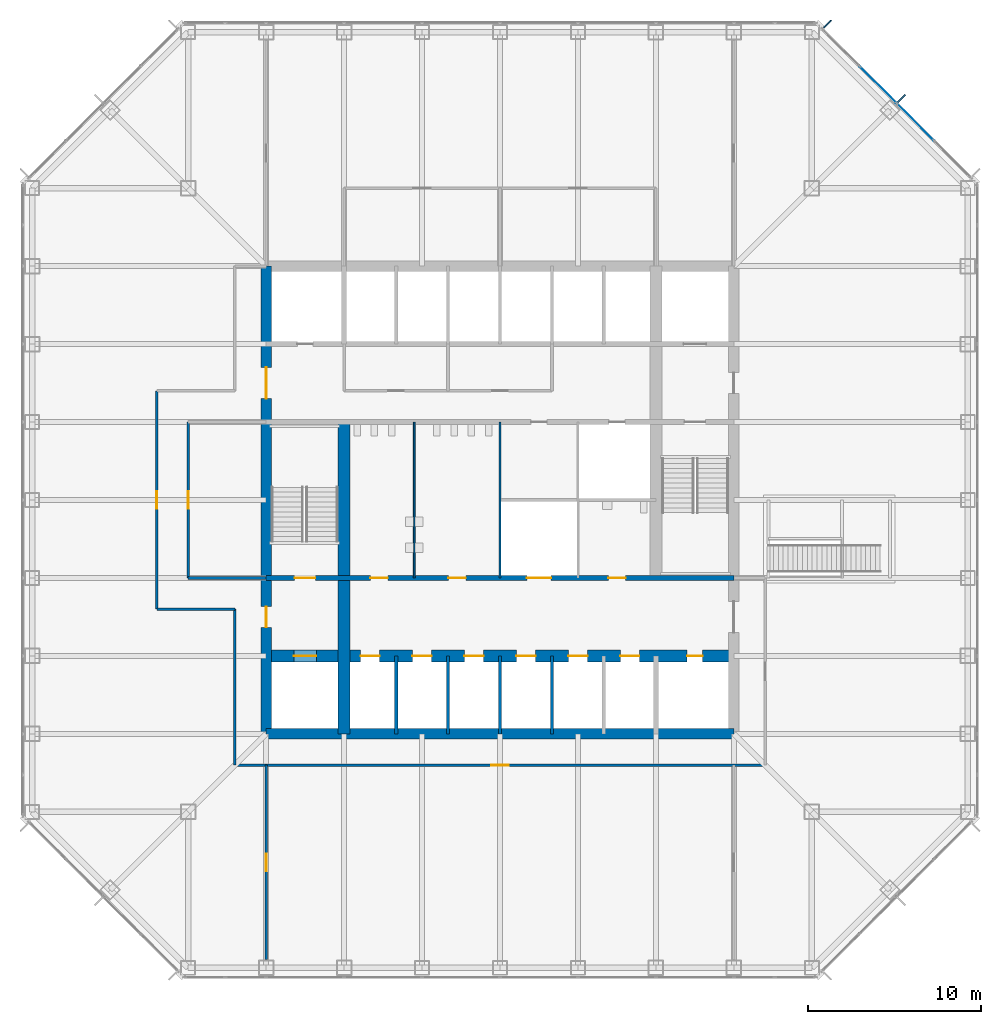
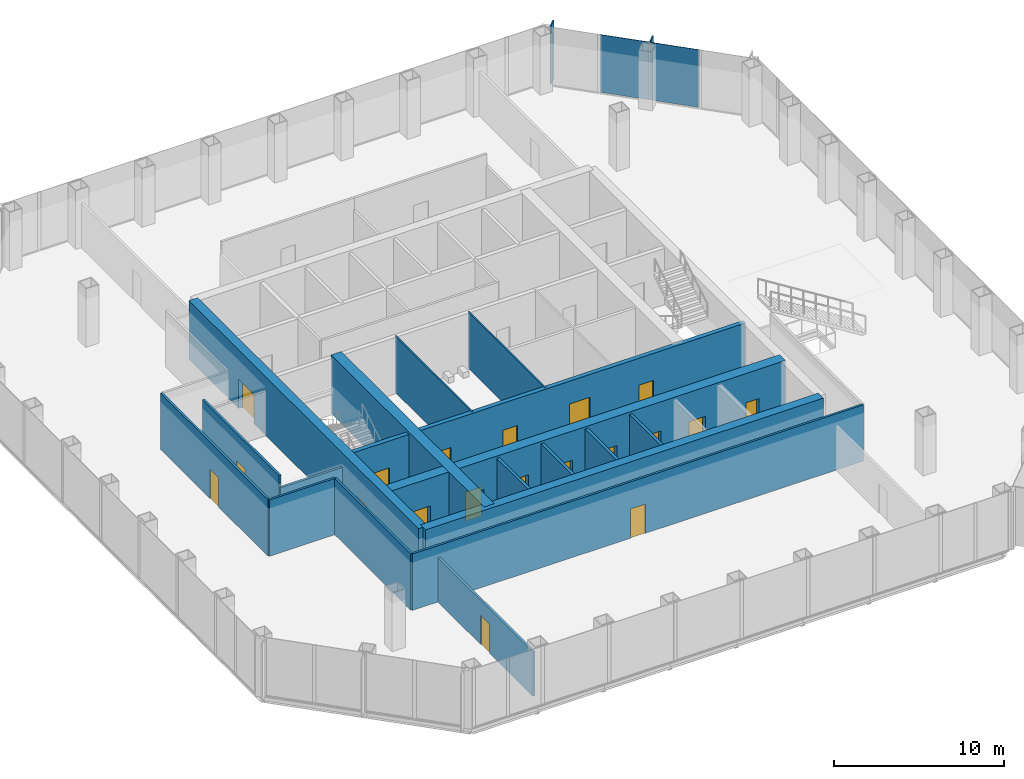
# One storey, part 8 of 12: 19 doors, 18 walls, 4 plates, 19 openings, 1 element without a shape of its own.
"""IFC4 building model written with IfcOpenShell, lengths in metres."""

from ifc_helpers import new_model, si_unit, direction, frame, frame_2d, origin, origin_2d, place, context, subcontext, project, spatial, rectangle, extrude, material, layer, layer_set, type_object, element, fill, aggregate, save


model = new_model("IFC4")

# Units and contexts
model_context = context("Model", 3, precision=1e-05, world=origin(), true_north=direction((0.0, 1.0)))
body_context = subcontext(model_context, "Body", "Model", "MODEL_VIEW")
ifc_project = project(units=[si_unit("LENGTHUNIT", "METRE"), si_unit("AREAUNIT", "SQUARE_METRE"), si_unit("VOLUMEUNIT", "CUBIC_METRE"), si_unit("PLANEANGLEUNIT", "RADIAN"), si_unit("MASSUNIT", "GRAM", prefix="KILO")], contexts=[model_context])

# Site, building, storey
site_placement = place(None, origin())
site = spatial("IfcSite", under=ifc_project, at=site_placement, CompositionType="ELEMENT")
building_placement = place(site_placement, origin())
building = spatial("IfcBuilding", under=site, at=building_placement, Name="Corais Broadcast Tower", CompositionType="ELEMENT")
storey_placement = place(building_placement, frame((0.0, 0.0, 37.39990234375)))
storey = spatial("IfcBuildingStorey", under=building, at=storey_placement, Name="L07", CompositionType="ELEMENT", Elevation=37.39990234375)

# Curtain wall, plates
ifc_material_1 = material(Name="Aluminium and glass", Category="aluminium")
curtain_wall_type = type_object("IfcCurtainWallType", Name="Newsroom clear-glass curtain wall CW7", PredefinedType="NOTDEFINED", material=ifc_material_1)
curtain_wall_placement = place(storey_placement, origin())
curtain_wall = element("IfcCurtainWall", 1, at=curtain_wall_placement, inside=storey, type_object=curtain_wall_type, Name="CW7 curtain wall L07 5", PredefinedType="NOTDEFINED")
ifc_material_2 = material(Name="Clear low-iron laminated glass", Category="glass")
ifc_layer_1 = layer(ifc_material_2, 0.032958984375)
ifc_layer_set_1 = layer_set([ifc_layer_1], Name="Clear low-iron laminated glass")
plate_type_1 = type_object("IfcPlateType", Name="Clear glass panel CW7", PredefinedType="CURTAIN_PANEL", material=ifc_layer_set_1)
plate_1_placement = place(storey_placement, frame((50.9658203125, 48.81201171875, 0.06494140625), z_axis=(0.0, 0.0, 1.0), x_axis=(0.707106781187, -0.707106781187, 0.0)))
plate_1 = element("IfcPlate", 2, at=plate_1_placement, type_object=plate_type_1, Name="CW7 panel 3", PredefinedType="CURTAIN_PANEL", context=body_context, shape_type="SweptSolid", body=[
    extrude(rectangle(XDim=2.98095703125, YDim=0.032958984375, at=origin_2d()), origin(), (0.0, 0.0, 1.0), 4.135009765625),
])
ifc_material_3 = material(Name="Clear laminated glass", Category="glass")
ifc_layer_2 = layer(ifc_material_3, 0.037109375)
ifc_layer_set_2 = layer_set([ifc_layer_2], Name="Clear laminated glass")
plate_type_2 = type_object("IfcPlateType", Name="Operable glass panel CW7", PredefinedType="CURTAIN_PANEL", material=ifc_layer_set_2)
plate_2_placement = place(storey_placement, frame((48.81201171875, 50.9658203125, 0.06494140625), z_axis=(0.0, 0.0, 1.0), x_axis=(0.707106781187, -0.707106781187, 0.0)))
plate_2 = element("IfcPlate", 3, at=plate_2_placement, type_object=plate_type_2, Name="CW7 operable panel 2", PredefinedType="CURTAIN_PANEL", context=body_context, shape_type="SweptSolid", body=[
    extrude(rectangle(XDim=2.98095703125, YDim=0.037109375, at=origin_2d()), origin(), (0.0, 0.0, 1.0), 4.135009765625),
])
aggregate(curtain_wall, [plate_2, plate_1])

# Plates
ifc_material_4 = material(Name="Granite stone cladding", Category="masonry")
ifc_layer_3 = layer(ifc_material_4, 0.080078125)
ifc_layer_set_3 = layer_set([ifc_layer_3], Name="Granite stone cladding")
plate_type_3 = type_object("IfcPlateType", Name="Stone screen fin 80x600", PredefinedType="USERDEFINED", material=ifc_layer_set_3)
for number, where, z_axis, x_axis, name in (
    (4, (45.89208984375, 54.461181640625, 0.0), (0.0, 0.0, 1.0), (0.707106781187, -0.707106781187, 0.0), "SF1 stone screen fin L07"),
    (5, (50.1767578125, 50.1767578125, 0.0), (0.0, 0.0, 1.0), (0.707106781187, -0.707106781187, 0.0), "SF1 stone screen fin L07"),
):
    element("IfcPlate", number, at=place(storey_placement, frame(where, z_axis=z_axis, x_axis=x_axis)), inside=storey, type_object=plate_type_3, Name=name, ObjectType="STONE SCREEN FIN", PredefinedType="USERDEFINED", context=body_context, shape_type="SweptSolid", body=[
        extrude(rectangle(XDim=0.080078125, YDim=0.60009765625, at=origin_2d()), origin(), (0.0, 0.0, 1.0), 4.199951171875),
    ])

# Wall, openings, doors
ifc_material_5 = material(Name="Concrete blockwork class A, grouted, two-hour", Category="masonry")
ifc_layer_4 = layer(ifc_material_5, 0.300048828125)
ifc_layer_set_4 = layer_set([ifc_layer_4], Name="Concrete blockwork class A, grouted, two-hour")
wall_type_1 = type_object("IfcWallType", Name="Core lobby wall 300", PredefinedType="SOLIDWALL", material=ifc_layer_set_4)
wall_1_placement = place(storey_placement, frame((13.5, 22.5, 0.0), z_axis=(0.0, 0.0, 1.0), x_axis=(1.0, 0.0, 0.0)))
wall_1 = element("IfcWall", 6, at=wall_1_placement, inside=storey, type_object=wall_type_1, Name="CL1 core lobby wall Y225 L07", PredefinedType="SOLIDWALL", context=body_context, shape_type="SweptSolid", body=[
    extrude(rectangle(XDim=27.0, YDim=0.300048828125, at=frame_2d((13.5, 0.0))), origin(), (0.0, 0.0, 1.0), 4.0400390625),
])
opening_1_placement = place(wall_1_placement, frame((1.64990234375, 0.0, 0.0)))
opening_1 = element("IfcOpeningElement", 7, at=opening_1_placement, cuts=wall_1, Name="Opening FD1", PredefinedType="OPENING", context=body_context, shape_type="SweptSolid", body=[
    extrude(rectangle(XDim=1.199951171875, YDim=2.10009765625, at=frame_2d((0.60009765625, 1.050048828125))), frame((0.0, 0.159912109375, 0.0), z_axis=(0.0, -1.0, 0.0), x_axis=(1.0, 0.0, 0.0)), (0.0, 0.0, 1.0), 0.320068359375),
])
opening_2_placement = place(wall_1_placement, frame((6.02490234375, 0.0, 0.0)))
opening_2 = element("IfcOpeningElement", 8, at=opening_2_placement, cuts=wall_1, Name="Opening WD1", PredefinedType="OPENING", context=body_context, shape_type="SweptSolid", body=[
    extrude(rectangle(XDim=1.0, YDim=2.10009765625, at=frame_2d((0.5, 1.050048828125))), frame((0.0, 0.159912109375, 0.0), z_axis=(0.0, -1.0, 0.0), x_axis=(1.0, 0.0, 0.0)), (0.0, 0.0, 1.0), 0.320068359375),
])
opening_3_placement = place(wall_1_placement, frame((10.52490234375, 0.0, 0.0)))
opening_3 = element("IfcOpeningElement", 9, at=opening_3_placement, cuts=wall_1, Name="Opening WD1", PredefinedType="OPENING", context=body_context, shape_type="SweptSolid", body=[
    extrude(rectangle(XDim=1.0, YDim=2.10009765625, at=frame_2d((0.5, 1.050048828125))), frame((0.0, 0.159912109375, 0.0), z_axis=(0.0, -1.0, 0.0), x_axis=(1.0, 0.0, 0.0)), (0.0, 0.0, 1.0), 0.320068359375),
])
opening_4_placement = place(wall_1_placement, frame((19.75, 0.0, 0.0)))
opening_4 = element("IfcOpeningElement", 10, at=opening_4_placement, cuts=wall_1, Name="Opening WD1", PredefinedType="OPENING", context=body_context, shape_type="SweptSolid", body=[
    extrude(rectangle(XDim=1.0, YDim=2.10009765625, at=frame_2d((0.5, 1.050048828125))), frame((0.0, 0.159912109375, 0.0), z_axis=(0.0, -1.0, 0.0), x_axis=(1.0, 0.0, 0.0)), (0.0, 0.0, 1.0), 0.320068359375),
])
opening_5_placement = place(wall_1_placement, frame((15.050048828125, 0.0, 0.0)))
opening_5 = element("IfcOpeningElement", 11, at=opening_5_placement, cuts=wall_1, Name="Opening LD3", PredefinedType="OPENING", context=body_context, shape_type="SweptSolid", body=[
    extrude(rectangle(XDim=1.39990234375, YDim=2.39990234375, at=frame_2d((0.699951171875, 1.199951171875))), frame((0.0, 0.159912109375, 0.0), z_axis=(0.0, -1.0, 0.0), x_axis=(1.0, 0.0, 0.0)), (0.0, 0.0, 1.0), 0.320068359375),
])
ifc_material_6 = material(Name="Steel fire door", Category="steel")
door_type_1 = type_object("IfcDoorType", Name="Fire door 1200x2100", OperationType="SINGLE_SWING_LEFT", PredefinedType="DOOR", material=ifc_material_6)
door_1_placement = place(opening_1_placement, origin())
door_1 = element("IfcDoor", 12, at=door_1_placement, inside=storey, type_object=door_type_1, Name="FD1 stair A door L07", OperationType="SINGLE_SWING_LEFT", OverallHeight=2.10009765625, OverallWidth=1.199951171875, PredefinedType="DOOR", context=body_context, shape_type="SweptSolid", body=[
    extrude(rectangle(XDim=1.199951171875, YDim=2.10009765625, at=frame_2d((0.60009765625, 1.050048828125))), frame((0.0, 0.02490234375, 0.0), z_axis=(0.0, -1.0, 0.0), x_axis=(1.0, 0.0, 0.0)), (0.0, 0.0, 1.0), 0.050048828125),
])
fill(opening_1, door_1)
ifc_material_7 = material(Name="Stainless steel lift door", Category="steel")
door_type_2 = type_object("IfcDoorType", Name="Service lift landing door 1400x2400", OperationType="SLIDING_TO_LEFT", PredefinedType="DOOR", material=ifc_material_7)
door_2_placement = place(opening_5_placement, origin())
door_2 = element("IfcDoor", 13, at=door_2_placement, inside=storey, type_object=door_type_2, Name="LD3 SL1 landing door L07", OperationType="SLIDING_TO_LEFT", OverallHeight=2.39990234375, OverallWidth=1.39990234375, PredefinedType="DOOR", context=body_context, shape_type="SweptSolid", body=[
    extrude(rectangle(XDim=1.39990234375, YDim=2.39990234375, at=frame_2d((0.699951171875, 1.199951171875))), frame((0.0, 0.02490234375, 0.0), z_axis=(0.0, -1.0, 0.0), x_axis=(1.0, 0.0, 0.0)), (0.0, 0.0, 1.0), 0.050048828125),
])
fill(opening_5, door_2)
ifc_material_8 = material(Name="Timber door", Category="wood")
door_type_3 = type_object("IfcDoorType", Name="Toilet door 1000x2100", OperationType="SINGLE_SWING_LEFT", PredefinedType="DOOR", material=ifc_material_8)
door_3_placement = place(opening_2_placement, origin())
door_3 = element("IfcDoor", 14, at=door_3_placement, inside=storey, type_object=door_type_3, Name="WD1 WC male door L07", OperationType="SINGLE_SWING_LEFT", OverallHeight=2.10009765625, OverallWidth=1.0, PredefinedType="DOOR", context=body_context, shape_type="SweptSolid", body=[
    extrude(rectangle(XDim=1.0, YDim=2.10009765625, at=frame_2d((0.5, 1.050048828125))), frame((0.0, 0.02490234375, 0.0), z_axis=(0.0, -1.0, 0.0), x_axis=(1.0, 0.0, 0.0)), (0.0, 0.0, 1.0), 0.050048828125),
])
fill(opening_2, door_3)
door_4_placement = place(opening_3_placement, origin())
door_4 = element("IfcDoor", 15, at=door_4_placement, inside=storey, type_object=door_type_3, Name="WD1 WC female door L07", OperationType="SINGLE_SWING_LEFT", OverallHeight=2.10009765625, OverallWidth=1.0, PredefinedType="DOOR", context=body_context, shape_type="SweptSolid", body=[
    extrude(rectangle(XDim=1.0, YDim=2.10009765625, at=frame_2d((0.5, 1.050048828125))), frame((0.0, 0.02490234375, 0.0), z_axis=(0.0, -1.0, 0.0), x_axis=(1.0, 0.0, 0.0)), (0.0, 0.0, 1.0), 0.050048828125),
])
fill(opening_3, door_4)
door_5_placement = place(opening_4_placement, origin())
door_5 = element("IfcDoor", 16, at=door_5_placement, inside=storey, type_object=door_type_3, Name="WD1 accessible WC door L07", OperationType="SINGLE_SWING_RIGHT", OverallHeight=2.10009765625, OverallWidth=1.0, PredefinedType="DOOR", context=body_context, shape_type="SweptSolid", body=[
    extrude(rectangle(XDim=1.0, YDim=2.10009765625, at=frame_2d((0.5, 1.050048828125))), frame((0.0, 0.02490234375, 0.0), z_axis=(0.0, -1.0, 0.0), x_axis=(1.0, 0.0, 0.0)), (0.0, 0.0, 1.0), 0.050048828125),
])
fill(opening_4, door_5)

# Wall
ifc_material_9 = material(Name="Concrete C50/60", Category="concrete")
ifc_layer_5 = layer(ifc_material_9, 0.699951171875)
ifc_layer_set_5 = layer_set([ifc_layer_5], Name="Concrete C50/60")
wall_type_2 = type_object("IfcWallType", Name="Core spine wall 700", PredefinedType="SHEAR", material=ifc_layer_set_5)
wall_2_placement = place(storey_placement, frame((18.0, 13.5, 0.0), z_axis=(0.0, 0.0, 1.0), x_axis=(0.0, 1.0, 0.0)))
element("IfcWall", 17, at=wall_2_placement, inside=storey, type_object=wall_type_2, Name="CR700 core wall X18A L07", PredefinedType="SHEAR", context=body_context, shape_type="SweptSolid", body=[
    extrude(rectangle(XDim=18.0, YDim=0.699951171875, at=frame_2d((9.0, 0.0))), origin(), (0.0, 0.0, 1.0), 4.2001953125),
])

# Wall, openings, doors
wall_3_placement = place(storey_placement, frame((13.5, 18.0, 0.0), z_axis=(0.0, 0.0, 1.0), x_axis=(1.0, 0.0, 0.0)))
wall_3 = element("IfcWall", 18, at=wall_3_placement, inside=storey, type_object=wall_type_2, Name="CR700 core wall Y18 L07", PredefinedType="SHEAR", context=body_context, shape_type="SweptSolid", body=[
    extrude(rectangle(XDim=27.0, YDim=0.699951171875, at=frame_2d((13.5, 0.0))), origin(), (0.0, 0.0, 1.0), 4.2001953125),
])
opening_6_placement = place(wall_3_placement, frame((24.300048828125, 0.0, 0.0)))
opening_6 = element("IfcOpeningElement", 19, at=opening_6_placement, cuts=wall_3, Name="Opening RD1", PredefinedType="OPENING", context=body_context, shape_type="SweptSolid", body=[
    extrude(rectangle(XDim=0.89990234375, YDim=2.10009765625, at=frame_2d((0.449951171875, 1.050048828125))), frame((0.0, 0.35986328125, 0.0), z_axis=(0.0, -1.0, 0.0), x_axis=(1.0, 0.0, 0.0)), (0.0, 0.0, 1.0), 0.719970703125),
])
opening_7_placement = place(wall_3_placement, frame((5.449951171875, 0.0, 0.0)))
opening_7 = element("IfcOpeningElement", 20, at=opening_7_placement, cuts=wall_3, Name="Opening LD1", PredefinedType="OPENING", context=body_context, shape_type="SweptSolid", body=[
    extrude(rectangle(XDim=1.10009765625, YDim=2.10009765625, at=frame_2d((0.550048828125, 1.050048828125))), frame((0.0, 0.35986328125, 0.0), z_axis=(0.0, -1.0, 0.0), x_axis=(1.0, 0.0, 0.0)), (0.0, 0.0, 1.0), 0.719970703125),
])
opening_8_placement = place(wall_3_placement, frame((8.449951171875, 0.0, 0.0)))
opening_8 = element("IfcOpeningElement", 21, at=opening_8_placement, cuts=wall_3, Name="Opening LD1", PredefinedType="OPENING", context=body_context, shape_type="SweptSolid", body=[
    extrude(rectangle(XDim=1.10009765625, YDim=2.10009765625, at=frame_2d((0.550048828125, 1.050048828125))), frame((0.0, 0.35986328125, 0.0), z_axis=(0.0, -1.0, 0.0), x_axis=(1.0, 0.0, 0.0)), (0.0, 0.0, 1.0), 0.719970703125),
])
opening_9_placement = place(wall_3_placement, frame((11.449951171875, 0.0, 0.0)))
opening_9 = element("IfcOpeningElement", 22, at=opening_9_placement, cuts=wall_3, Name="Opening LD1", PredefinedType="OPENING", context=body_context, shape_type="SweptSolid", body=[
    extrude(rectangle(XDim=1.10009765625, YDim=2.10009765625, at=frame_2d((0.550048828125, 1.050048828125))), frame((0.0, 0.35986328125, 0.0), z_axis=(0.0, -1.0, 0.0), x_axis=(1.0, 0.0, 0.0)), (0.0, 0.0, 1.0), 0.719970703125),
])
opening_10_placement = place(wall_3_placement, frame((14.449951171875, 0.0, 0.0)))
opening_10 = element("IfcOpeningElement", 23, at=opening_10_placement, cuts=wall_3, Name="Opening LD1", PredefinedType="OPENING", context=body_context, shape_type="SweptSolid", body=[
    extrude(rectangle(XDim=1.10009765625, YDim=2.10009765625, at=frame_2d((0.550048828125, 1.050048828125))), frame((0.0, 0.35986328125, 0.0), z_axis=(0.0, -1.0, 0.0), x_axis=(1.0, 0.0, 0.0)), (0.0, 0.0, 1.0), 0.719970703125),
])
opening_11_placement = place(wall_3_placement, frame((17.449951171875, 0.0, 0.0)))
opening_11 = element("IfcOpeningElement", 24, at=opening_11_placement, cuts=wall_3, Name="Opening LD1", PredefinedType="OPENING", context=body_context, shape_type="SweptSolid", body=[
    extrude(rectangle(XDim=1.10009765625, YDim=2.10009765625, at=frame_2d((0.550048828125, 1.050048828125))), frame((0.0, 0.35986328125, 0.0), z_axis=(0.0, -1.0, 0.0), x_axis=(1.0, 0.0, 0.0)), (0.0, 0.0, 1.0), 0.719970703125),
])
opening_12_placement = place(wall_3_placement, frame((20.449951171875, 0.0, 0.0)))
opening_12 = element("IfcOpeningElement", 25, at=opening_12_placement, cuts=wall_3, Name="Opening LD1", PredefinedType="OPENING", context=body_context, shape_type="SweptSolid", body=[
    extrude(rectangle(XDim=1.10009765625, YDim=2.10009765625, at=frame_2d((0.550048828125, 1.050048828125))), frame((0.0, 0.35986328125, 0.0), z_axis=(0.0, -1.0, 0.0), x_axis=(1.0, 0.0, 0.0)), (0.0, 0.0, 1.0), 0.719970703125),
])
opening_13_placement = place(wall_3_placement, frame((1.60009765625, 0.0, 0.0)))
opening_13 = element("IfcOpeningElement", 26, at=opening_13_placement, cuts=wall_3, Name="Opening LD2", PredefinedType="OPENING", context=body_context, shape_type="SweptSolid", body=[
    extrude(rectangle(XDim=1.300048828125, YDim=2.199951171875, at=frame_2d((0.64990234375, 1.10009765625))), frame((0.0, 0.35986328125, 0.0), z_axis=(0.0, -1.0, 0.0), x_axis=(1.0, 0.0, 0.0)), (0.0, 0.0, 1.0), 0.719970703125),
])
ifc_material_10 = material(Name="Stainless steel lift door", Category="steel")
door_type_4 = type_object("IfcDoorType", Name="Lift landing door 1100x2100", OperationType="SLIDING_TO_LEFT", PredefinedType="DOOR", material=ifc_material_10)
door_6_placement = place(opening_7_placement, origin())
door_6 = element("IfcDoor", 27, at=door_6_placement, inside=storey, type_object=door_type_4, Name="LD1 PL1 landing door L07", OperationType="SLIDING_TO_LEFT", OverallHeight=2.10009765625, OverallWidth=1.10009765625, PredefinedType="DOOR", context=body_context, shape_type="SweptSolid", body=[
    extrude(rectangle(XDim=1.10009765625, YDim=2.10009765625, at=frame_2d((0.550048828125, 1.050048828125))), frame((0.0, 0.02490234375, 0.0), z_axis=(0.0, -1.0, 0.0), x_axis=(1.0, 0.0, 0.0)), (0.0, 0.0, 1.0), 0.050048828125),
])
fill(opening_7, door_6)
door_7_placement = place(opening_8_placement, origin())
door_7 = element("IfcDoor", 28, at=door_7_placement, inside=storey, type_object=door_type_4, Name="LD1 PL2 landing door L07", OperationType="SLIDING_TO_LEFT", OverallHeight=2.10009765625, OverallWidth=1.10009765625, PredefinedType="DOOR", context=body_context, shape_type="SweptSolid", body=[
    extrude(rectangle(XDim=1.10009765625, YDim=2.10009765625, at=frame_2d((0.550048828125, 1.050048828125))), frame((0.0, 0.02490234375, 0.0), z_axis=(0.0, -1.0, 0.0), x_axis=(1.0, 0.0, 0.0)), (0.0, 0.0, 1.0), 0.050048828125),
])
fill(opening_8, door_7)
door_8_placement = place(opening_9_placement, origin())
door_8 = element("IfcDoor", 29, at=door_8_placement, inside=storey, type_object=door_type_4, Name="LD1 PL3 landing door L07", OperationType="SLIDING_TO_LEFT", OverallHeight=2.10009765625, OverallWidth=1.10009765625, PredefinedType="DOOR", context=body_context, shape_type="SweptSolid", body=[
    extrude(rectangle(XDim=1.10009765625, YDim=2.10009765625, at=frame_2d((0.550048828125, 1.050048828125))), frame((0.0, 0.02490234375, 0.0), z_axis=(0.0, -1.0, 0.0), x_axis=(1.0, 0.0, 0.0)), (0.0, 0.0, 1.0), 0.050048828125),
])
fill(opening_9, door_8)
door_9_placement = place(opening_10_placement, origin())
door_9 = element("IfcDoor", 30, at=door_9_placement, inside=storey, type_object=door_type_4, Name="LD1 PL4 landing door L07", OperationType="SLIDING_TO_LEFT", OverallHeight=2.10009765625, OverallWidth=1.10009765625, PredefinedType="DOOR", context=body_context, shape_type="SweptSolid", body=[
    extrude(rectangle(XDim=1.10009765625, YDim=2.10009765625, at=frame_2d((0.550048828125, 1.050048828125))), frame((0.0, 0.02490234375, 0.0), z_axis=(0.0, -1.0, 0.0), x_axis=(1.0, 0.0, 0.0)), (0.0, 0.0, 1.0), 0.050048828125),
])
fill(opening_10, door_9)
door_10_placement = place(opening_11_placement, origin())
door_10 = element("IfcDoor", 31, at=door_10_placement, inside=storey, type_object=door_type_4, Name="LD1 PL5 landing door L07", OperationType="SLIDING_TO_LEFT", OverallHeight=2.10009765625, OverallWidth=1.10009765625, PredefinedType="DOOR", context=body_context, shape_type="SweptSolid", body=[
    extrude(rectangle(XDim=1.10009765625, YDim=2.10009765625, at=frame_2d((0.550048828125, 1.050048828125))), frame((0.0, 0.02490234375, 0.0), z_axis=(0.0, -1.0, 0.0), x_axis=(1.0, 0.0, 0.0)), (0.0, 0.0, 1.0), 0.050048828125),
])
fill(opening_11, door_10)
door_11_placement = place(opening_12_placement, origin())
door_11 = element("IfcDoor", 32, at=door_11_placement, inside=storey, type_object=door_type_4, Name="LD1 PL6 landing door L07", OperationType="SLIDING_TO_LEFT", OverallHeight=2.10009765625, OverallWidth=1.10009765625, PredefinedType="DOOR", context=body_context, shape_type="SweptSolid", body=[
    extrude(rectangle(XDim=1.10009765625, YDim=2.10009765625, at=frame_2d((0.550048828125, 1.050048828125))), frame((0.0, 0.02490234375, 0.0), z_axis=(0.0, -1.0, 0.0), x_axis=(1.0, 0.0, 0.0)), (0.0, 0.0, 1.0), 0.050048828125),
])
fill(opening_12, door_11)
ifc_material_11 = material(Name="Stainless steel lift door", Category="steel")
door_type_5 = type_object("IfcDoorType", Name="Lift landing door 1300x2200", OperationType="SLIDING_TO_LEFT", PredefinedType="DOOR", material=ifc_material_11)
door_12_placement = place(opening_13_placement, origin())
door_12 = element("IfcDoor", 33, at=door_12_placement, inside=storey, type_object=door_type_5, Name="LD2 FL1 landing door L07", OperationType="SLIDING_TO_LEFT", OverallHeight=2.199951171875, OverallWidth=1.300048828125, PredefinedType="DOOR", context=body_context, shape_type="SweptSolid", body=[
    extrude(rectangle(XDim=1.300048828125, YDim=2.199951171875, at=frame_2d((0.64990234375, 1.10009765625))), frame((0.0, 0.02490234375, 0.0), z_axis=(0.0, -1.0, 0.0), x_axis=(1.0, 0.0, 0.0)), (0.0, 0.0, 1.0), 0.050048828125),
])
fill(opening_13, door_12)
ifc_material_12 = material(Name="Steel fire door", Category="steel")
door_type_6 = type_object("IfcDoorType", Name="Riser door 900x2100", OperationType="SINGLE_SWING_LEFT", PredefinedType="DOOR", material=ifc_material_12)
door_13_placement = place(opening_6_placement, origin())
door_13 = element("IfcDoor", 34, at=door_13_placement, inside=storey, type_object=door_type_6, Name="RD1 riser door L07", OperationType="SINGLE_SWING_RIGHT", OverallHeight=2.10009765625, OverallWidth=0.89990234375, PredefinedType="DOOR", context=body_context, shape_type="SweptSolid", body=[
    extrude(rectangle(XDim=0.89990234375, YDim=2.10009765625, at=frame_2d((0.449951171875, 1.050048828125))), frame((0.0, 0.02490234375, 0.0), z_axis=(0.0, -1.0, 0.0), x_axis=(1.0, 0.0, 0.0)), (0.0, 0.0, 1.0), 0.050048828125),
])
fill(opening_6, door_13)

# Wall
ifc_material_13 = material(Name="Concrete C50/60", Category="concrete")
ifc_layer_6 = layer(ifc_material_13, 0.60009765625)
ifc_layer_set_6 = layer_set([ifc_layer_6], Name="Concrete C50/60")
wall_type_3 = type_object("IfcWallType", Name="Core wall 600", PredefinedType="SHEAR", material=ifc_layer_set_6)
wall_4_placement = place(storey_placement, frame((13.5, 13.5, 0.0), z_axis=(0.0, 0.0, 1.0), x_axis=(1.0, 0.0, 0.0)))
element("IfcWall", 35, at=wall_4_placement, inside=storey, type_object=wall_type_3, Name="CR600 core wall S L07", PredefinedType="SHEAR", context=body_context, shape_type="SweptSolid", body=[
    extrude(rectangle(XDim=27.0, YDim=0.60009765625, at=frame_2d((13.5, 0.0))), origin(), (0.0, 0.0, 1.0), 4.2001953125),
])

# Wall, openings, doors
wall_5_placement = place(storey_placement, frame((13.5, 40.5, 0.0), z_axis=(0.0, 0.0, 1.0), x_axis=(0.0, -1.0, 0.0)))
wall_5 = element("IfcWall", 36, at=wall_5_placement, inside=storey, type_object=wall_type_3, Name="CR600 core wall W L07", PredefinedType="SHEAR", context=body_context, shape_type="SweptSolid", body=[
    extrude(rectangle(XDim=27.0, YDim=0.60009765625, at=frame_2d((13.5, 0.0))), origin(), (0.0, 0.0, 1.0), 4.2001953125),
])
opening_14_placement = place(wall_5_placement, frame((19.64990234375, 0.0, 0.0)))
opening_14 = element("IfcOpeningElement", 37, at=opening_14_placement, cuts=wall_5, Name="Opening FD1", PredefinedType="OPENING", context=body_context, shape_type="SweptSolid", body=[
    extrude(rectangle(XDim=1.199951171875, YDim=2.10009765625, at=frame_2d((0.60009765625, 1.050048828125))), frame((0.0, 0.31005859375, 0.0), z_axis=(0.0, -1.0, 0.0), x_axis=(1.0, 0.0, 0.0)), (0.0, 0.0, 1.0), 0.6201171875),
])
opening_15_placement = place(wall_5_placement, frame((5.85009765625, 0.0, 0.0)))
opening_15 = element("IfcOpeningElement", 38, at=opening_15_placement, cuts=wall_5, Name="Opening FD2", PredefinedType="OPENING", context=body_context, shape_type="SweptSolid", body=[
    extrude(rectangle(XDim=1.800048828125, YDim=2.10009765625, at=frame_2d((0.89990234375, 1.050048828125))), frame((0.0, 0.31005859375, 0.0), z_axis=(0.0, -1.0, 0.0), x_axis=(1.0, 0.0, 0.0)), (0.0, 0.0, 1.0), 0.6201171875),
])
door_14_placement = place(opening_14_placement, origin())
door_14 = element("IfcDoor", 39, at=door_14_placement, inside=storey, type_object=door_type_1, Name="FD1 fire lobby A door L07", OperationType="SINGLE_SWING_RIGHT", OverallHeight=2.10009765625, OverallWidth=1.199951171875, PredefinedType="DOOR", context=body_context, shape_type="SweptSolid", body=[
    extrude(rectangle(XDim=1.199951171875, YDim=2.10009765625, at=frame_2d((0.60009765625, 1.050048828125))), frame((0.0, 0.02490234375, 0.0), z_axis=(0.0, -1.0, 0.0), x_axis=(1.0, 0.0, 0.0)), (0.0, 0.0, 1.0), 0.050048828125),
])
fill(opening_14, door_14)
ifc_material_14 = material(Name="Steel fire door", Category="steel")
door_type_7 = type_object("IfcDoorType", Name="Fire door pair 1800x2100", OperationType="DOUBLE_DOOR_SINGLE_SWING", PredefinedType="DOOR", material=ifc_material_14)
door_15_placement = place(opening_15_placement, origin())
door_15 = element("IfcDoor", 40, at=door_15_placement, inside=storey, type_object=door_type_7, Name="FD2 lift lobby door L07", OperationType="SINGLE_SWING_LEFT", OverallHeight=2.10009765625, OverallWidth=1.800048828125, PredefinedType="DOOR", context=body_context, shape_type="SweptSolid", body=[
    extrude(rectangle(XDim=1.800048828125, YDim=2.10009765625, at=frame_2d((0.89990234375, 1.050048828125))), frame((0.0, 0.02490234375, 0.0), z_axis=(0.0, -1.0, 0.0), x_axis=(1.0, 0.0, 0.0)), (0.0, 0.0, 1.0), 0.050048828125),
])
fill(opening_15, door_15)

# Wall, opening, door
ifc_material_15 = material(Name="Gypsum board on steel studs", Category="steel")
ifc_layer_7 = layer(ifc_material_15, 0.14990234375)
ifc_layer_set_7 = layer_set([ifc_layer_7], Name="Gypsum board on steel studs")
wall_type_4 = type_object("IfcWallType", Name="Partition 150", PredefinedType="PARTITIONING", material=ifc_layer_set_7)
wall_6_placement = place(storey_placement, frame((11.699951171875, 11.699951171875, 0.0), z_axis=(0.0, 0.0, 1.0), x_axis=(1.0, 0.0, 0.0)))
wall_6 = element("IfcWall", 41, at=wall_6_placement, inside=storey, type_object=wall_type_4, Name="IW3 corridor wall L07", PredefinedType="PARTITIONING", context=body_context, shape_type="SweptSolid", body=[
    extrude(rectangle(XDim=30.60009765625, YDim=0.14990234375, at=frame_2d((15.300048828125, 0.0))), origin(), (0.0, 0.0, 1.0), 4.0400390625),
])
opening_16_placement = place(wall_6_placement, frame((14.800048828125, 0.0, 0.0)))
opening_16 = element("IfcOpeningElement", 42, at=opening_16_placement, cuts=wall_6, Name="Opening D1", PredefinedType="OPENING", context=body_context, shape_type="SweptSolid", body=[
    extrude(rectangle(XDim=1.0, YDim=2.10009765625, at=frame_2d((0.5, 1.050048828125))), frame((0.0, 0.0849609375, 0.0), z_axis=(0.0, -1.0, 0.0), x_axis=(1.0, 0.0, 0.0)), (0.0, 0.0, 1.0), 0.169921875),
])
ifc_material_16 = material(Name="Timber door", Category="wood")
door_type_8 = type_object("IfcDoorType", Name="Single door 1000x2100", OperationType="SINGLE_SWING_LEFT", PredefinedType="DOOR", material=ifc_material_16)
door_16_placement = place(opening_16_placement, origin())
door_16 = element("IfcDoor", 43, at=door_16_placement, inside=storey, type_object=door_type_8, Name="D1 workplace door L07", OperationType="SINGLE_SWING_LEFT", OverallHeight=2.10009765625, OverallWidth=1.0, PredefinedType="DOOR", context=body_context, shape_type="SweptSolid", body=[
    extrude(rectangle(XDim=1.0, YDim=2.10009765625, at=frame_2d((0.5, 1.050048828125))), frame((0.0, 0.02490234375, 0.0), z_axis=(0.0, -1.0, 0.0), x_axis=(1.0, 0.0, 0.0)), (0.0, 0.0, 1.0), 0.050048828125),
])
fill(opening_16, door_16)

wall_7_placement = place(storey_placement, frame((7.199951171875, 33.300048828125, 0.0), z_axis=(0.0, 0.0, 1.0), x_axis=(0.0, -1.0, 0.0)))
wall_7 = element("IfcWall", 44, at=wall_7_placement, inside=storey, type_object=wall_type_4, Name="IW3 corridor wall L07", PredefinedType="PARTITIONING", context=body_context, shape_type="SweptSolid", body=[
    extrude(rectangle(XDim=12.60009765625, YDim=0.14990234375, at=frame_2d((6.300048828125, 0.0))), origin(), (0.0, 0.0, 1.0), 4.0400390625),
])
opening_17_placement = place(wall_7_placement, frame((5.800048828125, 0.0, 0.0)))
opening_17 = element("IfcOpeningElement", 45, at=opening_17_placement, cuts=wall_7, Name="Opening D1", PredefinedType="OPENING", context=body_context, shape_type="SweptSolid", body=[
    extrude(rectangle(XDim=1.0, YDim=2.10009765625, at=frame_2d((0.5, 1.050048828125))), frame((0.0, 0.0849609375, 0.0), z_axis=(0.0, -1.0, 0.0), x_axis=(1.0, 0.0, 0.0)), (0.0, 0.0, 1.0), 0.169921875),
])
door_17_placement = place(opening_17_placement, origin())
door_17 = element("IfcDoor", 46, at=door_17_placement, inside=storey, type_object=door_type_8, Name="D1 workplace door L07", OperationType="SINGLE_SWING_LEFT", OverallHeight=2.10009765625, OverallWidth=1.0, PredefinedType="DOOR", context=body_context, shape_type="SweptSolid", body=[
    extrude(rectangle(XDim=1.0, YDim=2.10009765625, at=frame_2d((0.5, 1.050048828125))), frame((0.0, 0.02490234375, 0.0), z_axis=(0.0, -1.0, 0.0), x_axis=(1.0, 0.0, 0.0)), (0.0, 0.0, 1.0), 0.050048828125),
])
fill(opening_17, door_17)

# Walls
wall_8_placement = place(storey_placement, frame((11.699951171875, 20.699951171875, 0.0), z_axis=(0.0, 0.0, 1.0), x_axis=(0.0, -1.0, 0.0)))
element("IfcWall", 47, at=wall_8_placement, inside=storey, type_object=wall_type_4, Name="IW3 corridor wall L07", PredefinedType="PARTITIONING", context=body_context, shape_type="SweptSolid", body=[
    extrude(rectangle(XDim=9.0, YDim=0.14990234375, at=frame_2d((4.5, 0.0))), origin(), (0.0, 0.0, 1.0), 4.0400390625),
])
wall_9_placement = place(storey_placement, frame((7.199951171875, 20.699951171875, 0.0), z_axis=(0.0, 0.0, 1.0), x_axis=(1.0, 0.0, 0.0)))
element("IfcWall", 48, at=wall_9_placement, inside=storey, type_object=wall_type_4, Name="IW3 corridor wall L07", PredefinedType="PARTITIONING", context=body_context, shape_type="SweptSolid", body=[
    extrude(rectangle(XDim=4.5, YDim=0.14990234375, at=frame_2d((2.25, 0.0))), origin(), (0.0, 0.0, 1.0), 4.0400390625),
])
wall_10_placement = place(storey_placement, frame((9.0, 22.5, 0.0), z_axis=(0.0, 0.0, 1.0), x_axis=(1.0, 0.0, 0.0)))
element("IfcWall", 49, at=wall_10_placement, inside=storey, type_object=wall_type_4, Name="IW3 partition L07", PredefinedType="PARTITIONING", context=body_context, shape_type="SweptSolid", body=[
    extrude(rectangle(XDim=4.5, YDim=0.14990234375, at=frame_2d((2.25, 0.0))), origin(), (0.0, 0.0, 1.0), 3.189208984375),
])

# Wall, opening, door
wall_11_placement = place(storey_placement, frame((9.0, 31.5, 0.0), z_axis=(0.0, 0.0, 1.0), x_axis=(0.0, -1.0, 0.0)))
wall_11 = element("IfcWall", 50, at=wall_11_placement, inside=storey, type_object=wall_type_4, Name="IW3 partition L07", PredefinedType="PARTITIONING", context=body_context, shape_type="SweptSolid", body=[
    extrude(rectangle(XDim=9.0, YDim=0.14990234375, at=frame_2d((4.5, 0.0))), origin(), (0.0, 0.0, 1.0), 4.0400390625),
])
opening_18_placement = place(wall_11_placement, frame((4.0, 0.0, 0.0)))
opening_18 = element("IfcOpeningElement", 51, at=opening_18_placement, cuts=wall_11, Name="Opening D1", PredefinedType="OPENING", context=body_context, shape_type="SweptSolid", body=[
    extrude(rectangle(XDim=1.0, YDim=2.10009765625, at=frame_2d((0.5, 1.050048828125))), frame((0.0, 0.0849609375, 0.0), z_axis=(0.0, -1.0, 0.0), x_axis=(1.0, 0.0, 0.0)), (0.0, 0.0, 1.0), 0.169921875),
])
door_18_placement = place(opening_18_placement, origin())
door_18 = element("IfcDoor", 52, at=door_18_placement, inside=storey, type_object=door_type_8, Name="D1 Pantry door", OperationType="SINGLE_SWING_LEFT", OverallHeight=2.10009765625, OverallWidth=1.0, PredefinedType="DOOR", context=body_context, shape_type="SweptSolid", body=[
    extrude(rectangle(XDim=1.0, YDim=2.10009765625, at=frame_2d((0.5, 1.050048828125))), frame((0.0, 0.02490234375, 0.0), z_axis=(0.0, -1.0, 0.0), x_axis=(1.0, 0.0, 0.0)), (0.0, 0.0, 1.0), 0.050048828125),
])
fill(opening_18, door_18)

wall_12_placement = place(storey_placement, frame((13.5, 0.469970703125, 0.0), z_axis=(0.0, 0.0, 1.0), x_axis=(0.0, 1.0, 0.0)))
wall_12 = element("IfcWall", 53, at=wall_12_placement, inside=storey, type_object=wall_type_4, Name="IW3 partition L07", PredefinedType="PARTITIONING", context=body_context, shape_type="SweptSolid", body=[
    extrude(rectangle(XDim=11.22998046875, YDim=0.14990234375, at=frame_2d((5.614990234375, 0.0))), origin(), (0.0, 0.0, 1.0), 3.189208984375),
])
opening_19_placement = place(wall_12_placement, frame((5.114990234375, 0.0, 0.0)))
opening_19 = element("IfcOpeningElement", 54, at=opening_19_placement, cuts=wall_12, Name="Opening D1", PredefinedType="OPENING", context=body_context, shape_type="SweptSolid", body=[
    extrude(rectangle(XDim=1.0, YDim=2.10009765625, at=frame_2d((0.5, 1.050048828125))), frame((0.0, 0.0849609375, 0.0), z_axis=(0.0, -1.0, 0.0), x_axis=(1.0, 0.0, 0.0)), (0.0, 0.0, 1.0), 0.169921875),
])
door_19_placement = place(opening_19_placement, origin())
door_19 = element("IfcDoor", 55, at=door_19_placement, inside=storey, type_object=door_type_8, Name="D1 team room door L07", OperationType="SINGLE_SWING_LEFT", OverallHeight=2.10009765625, OverallWidth=1.0, PredefinedType="DOOR", context=body_context, shape_type="SweptSolid", body=[
    extrude(rectangle(XDim=1.0, YDim=2.10009765625, at=frame_2d((0.5, 1.050048828125))), frame((0.0, 0.02490234375, 0.0), z_axis=(0.0, -1.0, 0.0), x_axis=(1.0, 0.0, 0.0)), (0.0, 0.0, 1.0), 0.050048828125),
])
fill(opening_19, door_19)

# Walls
ifc_material_17 = material(Name="Concrete blockwork class A, grouted, two-hour", Category="masonry")
ifc_layer_8 = layer(ifc_material_17, 0.199951171875)
ifc_layer_set_8 = layer_set([ifc_layer_8], Name="Concrete blockwork class A, grouted, two-hour")
wall_type_5 = type_object("IfcWallType", Name="Shaft wall 200", PredefinedType="PARTITIONING", material=ifc_layer_set_8)
for number, where, z_axis, x_axis, name in (
    (56, (21.0, 13.5, 0.0), (0.0, 0.0, 1.0), (0.0, 1.0, 0.0), "IW1 shaft wall L07"),
    (57, (24.0, 13.5, 0.0), (0.0, 0.0, 1.0), (0.0, 1.0, 0.0), "IW1 shaft wall L07"),
    (58, (27.0, 13.5, 0.0), (0.0, 0.0, 1.0), (0.0, 1.0, 0.0), "IW1 shaft wall L07"),
    (59, (30.0, 13.5, 0.0), (0.0, 0.0, 1.0), (0.0, 1.0, 0.0), "IW1 shaft wall L07"),
):
    element("IfcWall", number, at=place(storey_placement, frame(where, z_axis=z_axis, x_axis=x_axis)), inside=storey, type_object=wall_type_5, Name=name, PredefinedType="PARTITIONING", context=body_context, shape_type="SweptSolid", body=[
        extrude(rectangle(XDim=4.5, YDim=0.199951171875, at=frame_2d((2.25, 0.0))), origin(), (0.0, 0.0, 1.0), 4.0400390625),
    ])
ifc_material_18 = material(Name="Dense concrete blockwork class A, tiled both faces", Category="masonry")
ifc_layer_9 = layer(ifc_material_18, 0.10009765625)
ifc_layer_set_9 = layer_set([ifc_layer_9], Name="Dense concrete blockwork class A, tiled both faces")
wall_type_6 = type_object("IfcWallType", Name="Toilet wall 100", PredefinedType="PLUMBINGWALL", material=ifc_layer_set_9)
for number, where, z_axis, x_axis, name in (
    (60, (22.050048828125, 22.5, 0.0), (0.0, 0.0, 1.0), (0.0, 1.0, 0.0), "IW2 toilet wall L07"),
    (61, (27.0, 22.5, 0.0), (0.0, 0.0, 1.0), (0.0, 1.0, 0.0), "IW2 toilet wall L07"),
):
    element("IfcWall", number, at=place(storey_placement, frame(where, z_axis=z_axis, x_axis=x_axis)), inside=storey, type_object=wall_type_6, Name=name, PredefinedType="PLUMBINGWALL", context=body_context, shape_type="SweptSolid", body=[
        extrude(rectangle(XDim=9.0, YDim=0.10009765625, at=frame_2d((4.5, 0.0))), origin(), (0.0, 0.0, 1.0), 4.0400390625),
    ])

save(model, "model.ifc")
